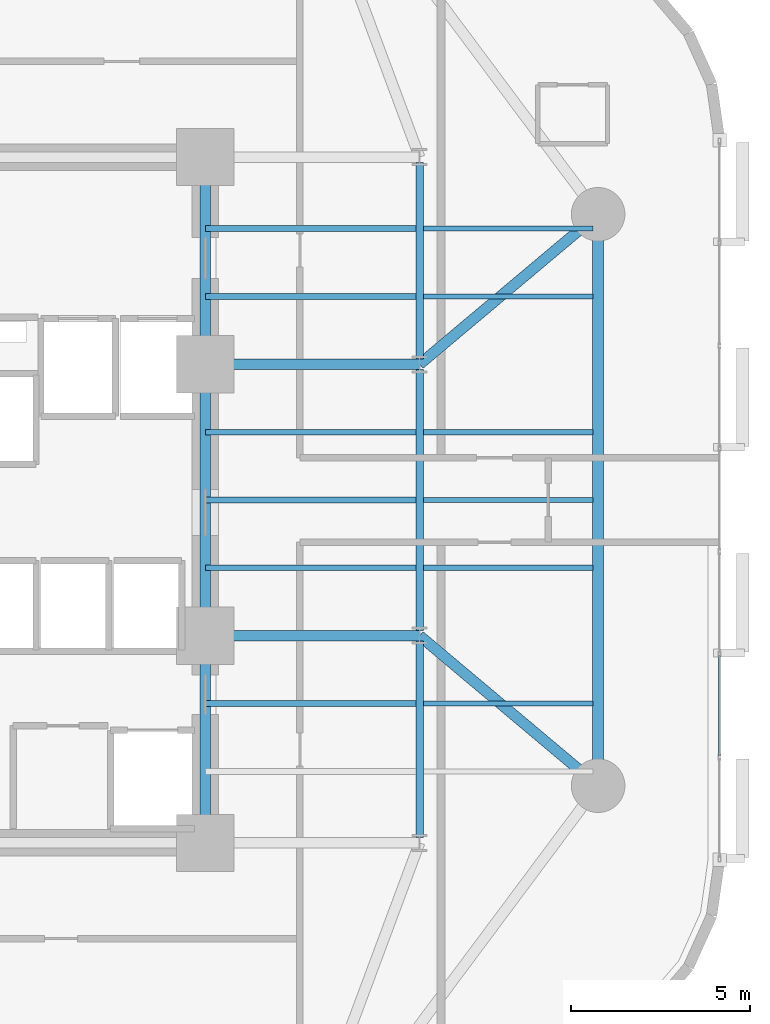
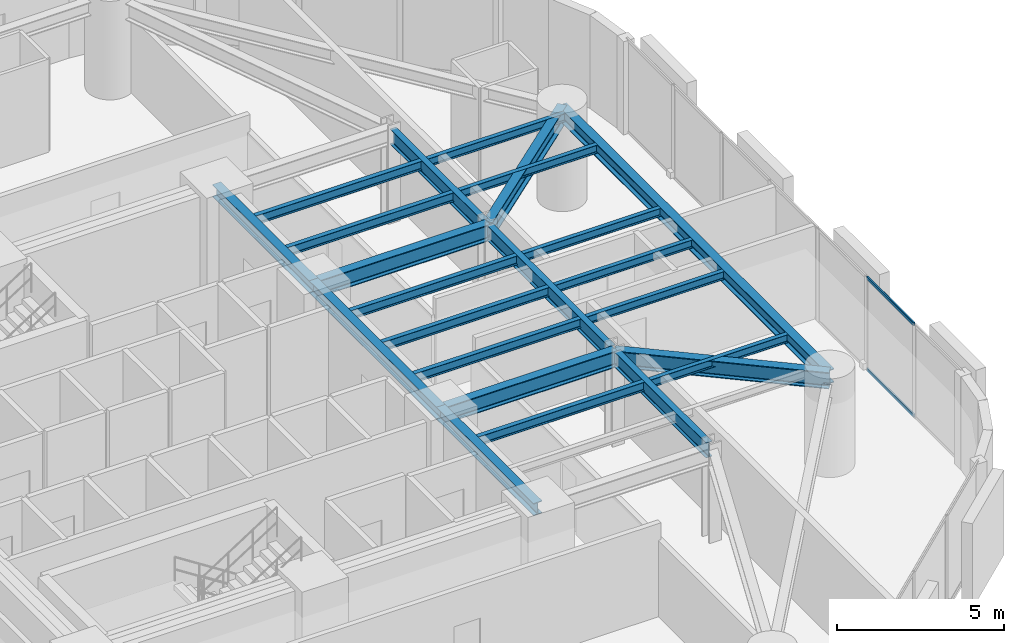
# One storey, part 5 of 16: 23 beams, 2 members, 1 element without a shape of its own.
"""IFC4 building model written with IfcOpenShell, lengths in metres."""

from ifc_helpers import new_model, si_unit, direction, frame, origin, origin_2d, place, context, subcontext, project, spatial, hollow_rectangle, i_section, extrude, material, layer, layer_set, material_profile, profile_set, type_object, element, aggregate, save


model = new_model("IFC4")

# Units and contexts
model_context = context("Model", 3, precision=1e-05, world=origin(), true_north=direction((0.0, 1.0)))
body_context = subcontext(model_context, "Body", "Model", "MODEL_VIEW")
ifc_project = project(units=[si_unit("LENGTHUNIT", "METRE"), si_unit("AREAUNIT", "SQUARE_METRE"), si_unit("VOLUMEUNIT", "CUBIC_METRE"), si_unit("PLANEANGLEUNIT", "RADIAN"), si_unit("MASSUNIT", "GRAM", prefix="KILO")], contexts=[model_context])

# Site, building, storey
site_placement = place(None, origin())
site = spatial("IfcSite", under=ifc_project, at=site_placement, CompositionType="ELEMENT")
building_placement = place(site_placement, origin())
building = spatial("IfcBuilding", under=site, at=building_placement, Name="An Khanh Terracotta Commons", CompositionType="ELEMENT")
storey_placement = place(building_placement, frame((0.0, 0.0, 28.800048828125)))
storey = spatial("IfcBuildingStorey", under=building, at=storey_placement, Name="L07", CompositionType="ELEMENT", Elevation=28.800048828125)

# Beams
ifc_material_1 = material(Name="Steel S355J2", Category="steel")
ifc_material_profile_1 = material_profile(ifc_material_1, i_section(OverallWidth=0.300048828125, OverallDepth=0.449951171875, WebThickness=0.013916015625, FlangeThickness=0.02587890625, FilletRadius=0.027099609375, at=origin_2d()), Name="HEB450")
ifc_profile_set_1 = profile_set([ifc_material_profile_1], Name="Steel S355J2")
beam_type_1 = type_object("IfcBeamType", Name="BM-HEB450", PredefinedType="BEAM", material=ifc_profile_set_1)
beam_1_placement = place(storey_placement, frame((37.199951171875, 14.39990234375, 3.175048828125), z_axis=(0.0, 1.0, 0.0), x_axis=(-1.0, 0.0, 0.0)))
element("IfcBeam", 1, at=beam_1_placement, inside=storey, type_object=beam_type_1, Name="L07 Core East Coupling Girder 1", PredefinedType="BEAM", context=body_context, shape_type="SweptSolid", body=[
    extrude(i_section(OverallWidth=0.300048828125, OverallDepth=0.449951171875, WebThickness=0.013916015625, FlangeThickness=0.02587890625, FilletRadius=0.027099609375, at=origin_2d()), origin(), (0.0, 0.0, 1.0), 5.800048828125),
])
beam_2_placement = place(storey_placement, frame((37.199951171875, 20.199951171875, 3.175048828125), z_axis=(0.0, 1.0, 0.0), x_axis=(-1.0, 0.0, 0.0)))
element("IfcBeam", 2, at=beam_2_placement, inside=storey, type_object=beam_type_1, Name="L07 Core East Coupling Girder 2", PredefinedType="BEAM", context=body_context, shape_type="SweptSolid", body=[
    extrude(i_section(OverallWidth=0.300048828125, OverallDepth=0.449951171875, WebThickness=0.013916015625, FlangeThickness=0.02587890625, FilletRadius=0.027099609375, at=origin_2d()), origin(), (0.0, 0.0, 1.0), 7.60009765625),
])
beam_3_placement = place(storey_placement, frame((37.199951171875, 27.800048828125, 3.175048828125), z_axis=(0.0, 1.0, 0.0), x_axis=(-1.0, 0.0, 0.0)))
element("IfcBeam", 3, at=beam_3_placement, inside=storey, type_object=beam_type_1, Name="L07 Core East Coupling Girder 3", PredefinedType="BEAM", context=body_context, shape_type="SweptSolid", body=[
    extrude(i_section(OverallWidth=0.300048828125, OverallDepth=0.449951171875, WebThickness=0.013916015625, FlangeThickness=0.02587890625, FilletRadius=0.027099609375, at=origin_2d()), origin(), (0.0, 0.0, 1.0), 5.800048828125),
])
ifc_material_profile_2 = material_profile(ifc_material_1, i_section(OverallWidth=0.300048828125, OverallDepth=0.5, WebThickness=0.014404296875, FlangeThickness=0.028076171875, FilletRadius=0.027099609375, at=origin_2d()), Name="HEB500")
ifc_profile_set_2 = profile_set([ifc_material_profile_2], Name="Steel S355J2")
beam_type_2 = type_object("IfcBeamType", Name="BM-HEB500", PredefinedType="BEAM", material=ifc_profile_set_2)
beam_4_placement = place(storey_placement, frame((48.199951171875, 16.0, 3.14990234375), z_axis=(0.0, 1.0, 0.0), x_axis=(-1.0, 0.0, 0.0)))
element("IfcBeam", 4, at=beam_4_placement, inside=storey, type_object=beam_type_2, Name="L07 Perimeter Ring Spandrel 3", PredefinedType="BEAM", context=body_context, shape_type="SweptSolid", body=[
    extrude(i_section(OverallWidth=0.300048828125, OverallDepth=0.5, WebThickness=0.014404296875, FlangeThickness=0.028076171875, FilletRadius=0.027099609375, at=origin_2d()), origin(), (0.0, 0.0, 1.0), 16.0),
])
ifc_material_profile_3 = material_profile(ifc_material_1, i_section(OverallWidth=0.300048828125, OverallDepth=0.60009765625, WebThickness=0.015380859375, FlangeThickness=0.030029296875, FilletRadius=0.027099609375, at=origin_2d()), Name="HEB600")
ifc_profile_set_3 = profile_set([ifc_material_profile_3], Name="Steel S355J2")
beam_type_3 = type_object("IfcBeamType", Name="BM-HEB600", PredefinedType="BEAM", material=ifc_profile_set_3)
for number, where, z_axis, x_axis, name in (
    (5, (37.199951171875, 20.199951171875, 3.099853515625), (1.0, 0.0, 0.0), (0.0, 1.0, 0.0), "L07 East Primary Floor Girder 2"),
    (6, (37.199951171875, 27.800048828125, 3.099853515625), (1.0, 0.0, 0.0), (0.0, 1.0, 0.0), "L07 East Primary Floor Girder 3"),
):
    element("IfcBeam", number, at=place(storey_placement, frame(where, z_axis=z_axis, x_axis=x_axis)), inside=storey, type_object=beam_type_3, Name=name, PredefinedType="BEAM", context=body_context, shape_type="SweptSolid", body=[
        extrude(i_section(OverallWidth=0.300048828125, OverallDepth=0.60009765625, WebThickness=0.015380859375, FlangeThickness=0.030029296875, FilletRadius=0.027099609375, at=origin_2d()), origin(), (0.0, 0.0, 1.0), 6.0),
    ])
for number, where, z_axis, x_axis, name in (
    (7, (48.199951171875, 16.0, 3.099853515625), (-0.765708547471, 0.643187702253, 0.0), (-0.643187702253, -0.765708547471, 0.0), "L07 Mega-Column Tie Girder 3"),
    (8, (48.199951171875, 32.0, 3.099853515625), (-0.765708547471, -0.643187702253, 0.0), (0.643187702253, -0.765708547471, 0.0), "L07 Mega-Column Tie Girder 4"),
):
    element("IfcBeam", number, at=place(storey_placement, frame(where, z_axis=z_axis, x_axis=x_axis)), inside=storey, type_object=beam_type_3, Name=name, PredefinedType="BEAM", context=body_context, shape_type="SweptSolid", body=[
        extrude(i_section(OverallWidth=0.300048828125, OverallDepth=0.60009765625, WebThickness=0.015380859375, FlangeThickness=0.030029296875, FilletRadius=0.027099609375, at=origin_2d()), origin(), (0.0, 0.0, 1.0), 6.52978515625),
    ])
ifc_material_profile_4 = material_profile(ifc_material_1, i_section(OverallWidth=0.14990234375, OverallDepth=0.300048828125, WebThickness=0.007080078125, FlangeThickness=0.0107421875, FilletRadius=0.014892578125, at=origin_2d()), Name="IPE300")
ifc_profile_set_4 = profile_set([ifc_material_profile_4], Name="Steel S355J2")
beam_type_4 = type_object("IfcBeamType", Name="BM-IPE300", PredefinedType="JOIST", material=ifc_profile_set_4)
for number, where, z_axis, x_axis, name in (
    (9, (43.304931640625, 18.300048828125, 3.25), (1.0, 0.0, 0.0), (0.0, 1.0, 0.0), "L07 Riverfront Composite Joist 2"),
    (10, (43.304931640625, 22.10009765625, 3.25), (1.0, 0.0, 0.0), (0.0, 1.0, 0.0), "L07 Riverfront Composite Joist 3"),
    (11, (43.304931640625, 24.0, 3.25), (1.0, 0.0, 0.0), (0.0, 1.0, 0.0), "L07 Riverfront Composite Joist 4"),
    (12, (43.304931640625, 25.89990234375, 3.25), (1.0, 0.0, 0.0), (0.0, 1.0, 0.0), "L07 Riverfront Composite Joist 5"),
    (13, (43.304931640625, 29.699951171875, 3.25), (1.0, 0.0, 0.0), (0.0, 1.0, 0.0), "L07 Riverfront Composite Joist 6"),
    (14, (43.304931640625, 31.60009765625, 3.25), (1.0, 0.0, 0.0), (0.0, 1.0, 0.0), "L07 Riverfront Composite Joist 7"),
):
    element("IfcBeam", number, at=place(storey_placement, frame(where, z_axis=z_axis, x_axis=x_axis)), inside=storey, type_object=beam_type_4, Name=name, PredefinedType="JOIST", context=body_context, shape_type="SweptSolid", body=[
        extrude(i_section(OverallWidth=0.14990234375, OverallDepth=0.300048828125, WebThickness=0.007080078125, FlangeThickness=0.0107421875, FilletRadius=0.014892578125, at=origin_2d()), origin(), (0.0, 0.0, 1.0), 4.7451171875),
    ])
ifc_material_profile_5 = material_profile(ifc_material_1, i_section(OverallWidth=0.159912109375, OverallDepth=0.330078125, WebThickness=0.007568359375, FlangeThickness=0.011474609375, FilletRadius=0.01806640625, at=origin_2d()), Name="IPE330")
ifc_profile_set_5 = profile_set([ifc_material_profile_5], Name="Steel S355J2")
beam_type_5 = type_object("IfcBeamType", Name="BM-IPE330", PredefinedType="JOIST", material=ifc_profile_set_5)
for number, where, z_axis, x_axis, name in (
    (15, (37.199951171875, 18.300048828125, 3.23486328125), (1.0, 0.0, 0.0), (0.0, 1.0, 0.0), "L07 Inboard Composite Joist 2"),
    (16, (37.199951171875, 22.10009765625, 3.23486328125), (1.0, 0.0, 0.0), (0.0, 1.0, 0.0), "L07 Inboard Composite Joist 3"),
    (17, (37.199951171875, 24.0, 3.23486328125), (1.0, 0.0, 0.0), (0.0, 1.0, 0.0), "L07 Inboard Composite Joist 4"),
    (18, (37.199951171875, 25.89990234375, 3.23486328125), (1.0, 0.0, 0.0), (0.0, 1.0, 0.0), "L07 Inboard Composite Joist 5"),
    (19, (37.199951171875, 29.699951171875, 3.23486328125), (1.0, 0.0, 0.0), (0.0, 1.0, 0.0), "L07 Inboard Composite Joist 6"),
    (20, (37.199951171875, 31.60009765625, 3.23486328125), (1.0, 0.0, 0.0), (0.0, 1.0, 0.0), "L07 Inboard Composite Joist 7"),
):
    element("IfcBeam", number, at=place(storey_placement, frame(where, z_axis=z_axis, x_axis=x_axis)), inside=storey, type_object=beam_type_5, Name=name, PredefinedType="JOIST", context=body_context, shape_type="SweptSolid", body=[
        extrude(i_section(OverallWidth=0.159912109375, OverallDepth=0.330078125, WebThickness=0.007568359375, FlangeThickness=0.011474609375, FilletRadius=0.01806640625, at=origin_2d()), origin(), (0.0, 0.0, 1.0), 5.89501953125),
    ])
ifc_material_profile_6 = material_profile(ifc_material_1, i_section(OverallWidth=0.2099609375, OverallDepth=0.550048828125, WebThickness=0.010986328125, FlangeThickness=0.01708984375, FilletRadius=0.02392578125, at=origin_2d()), Name="IPE550")
ifc_profile_set_6 = profile_set([ifc_material_profile_6], Name="Steel S355J2")
beam_type_6 = type_object("IfcBeamType", Name="BM-IPE550", PredefinedType="BEAM", material=ifc_profile_set_6)
beam_5_placement = place(storey_placement, frame((43.199951171875, 14.550048828125, 3.125), z_axis=(0.0, 1.0, 0.0), x_axis=(-1.0, 0.0, 0.0)))
element("IfcBeam", 21, at=beam_5_placement, inside=storey, type_object=beam_type_6, Name="L07 East Spine Girder 1", PredefinedType="BEAM", context=body_context, shape_type="SweptSolid", body=[
    extrude(i_section(OverallWidth=0.2099609375, OverallDepth=0.550048828125, WebThickness=0.010986328125, FlangeThickness=0.01708984375, FilletRadius=0.02392578125, at=origin_2d()), origin(), (0.0, 0.0, 1.0), 5.5),
])
beam_6_placement = place(storey_placement, frame((43.199951171875, 20.35009765625, 3.125), z_axis=(0.0, 1.0, 0.0), x_axis=(-1.0, 0.0, 0.0)))
element("IfcBeam", 22, at=beam_6_placement, inside=storey, type_object=beam_type_6, Name="L07 East Spine Girder 2", PredefinedType="BEAM", context=body_context, shape_type="SweptSolid", body=[
    extrude(i_section(OverallWidth=0.2099609375, OverallDepth=0.550048828125, WebThickness=0.010986328125, FlangeThickness=0.01708984375, FilletRadius=0.02392578125, at=origin_2d()), origin(), (0.0, 0.0, 1.0), 7.2998046875),
])
beam_7_placement = place(storey_placement, frame((43.199951171875, 27.949951171875, 3.125), z_axis=(0.0, 1.0, 0.0), x_axis=(-1.0, 0.0, 0.0)))
element("IfcBeam", 23, at=beam_7_placement, inside=storey, type_object=beam_type_6, Name="L07 East Spine Girder 3", PredefinedType="BEAM", context=body_context, shape_type="SweptSolid", body=[
    extrude(i_section(OverallWidth=0.2099609375, OverallDepth=0.550048828125, WebThickness=0.010986328125, FlangeThickness=0.01708984375, FilletRadius=0.02392578125, at=origin_2d()), origin(), (0.0, 0.0, 1.0), 5.5),
])

# Curtain wall, members
ifc_material_2 = material(Name="Anodised Aluminium 6063-T6", Category="aluminium")
ifc_layer = layer(ifc_material_2, 0.199951171875, Name="Anodised Aluminium 6063-T6")
ifc_layer_set = layer_set([ifc_layer], Name="Anodised Aluminium 6063-T6")
curtain_wall_type = type_object("IfcCurtainWallType", Name="CW-SYS-02", PredefinedType="USERDEFINED", material=ifc_layer_set)
curtain_wall_placement = place(storey_placement, origin())
curtain_wall = element("IfcCurtainWall", 24, at=curtain_wall_placement, inside=storey, type_object=curtain_wall_type, Name="L07 CW-02 Unitised Curtain Wall CW-L07-12", ObjectType="UNITISED CURTAIN WALL", PredefinedType="USERDEFINED")
ifc_material_profile_7 = material_profile(ifc_material_2, hollow_rectangle(XDim=0.06005859375, YDim=0.1201171875, WallThickness=0.003662109375, InnerFilletRadius=0.003662109375, OuterFilletRadius=0.007080078125, at=origin_2d()), Name="RHS120x60x3.6")
ifc_profile_set_7 = profile_set([ifc_material_profile_7], Name="Anodised Aluminium 6063-T6")
member_type = type_object("IfcMemberType", Name="CWT-RHS120x60x3.6", PredefinedType="USERDEFINED", material=ifc_profile_set_7)
member_1_placement = place(storey_placement, frame((51.60009765625, 16.837158203125, 0.030029296875), z_axis=(0.0, 1.0, 0.0), x_axis=(-1.0, 0.0, 0.0)))
member_1 = element("IfcMember", 25, at=member_1_placement, type_object=member_type, Name="CW-02 transom 2.1", ObjectType="TRANSOM", PredefinedType="USERDEFINED", context=body_context, shape_type="SweptSolid", body=[
    extrude(hollow_rectangle(XDim=0.06005859375, YDim=0.1201171875, WallThickness=0.003662109375, InnerFilletRadius=0.003662109375, OuterFilletRadius=0.007080078125, at=origin_2d()), origin(), (0.0, 0.0, 1.0), 2.80908203125),
])
member_2_placement = place(storey_placement, frame((51.60009765625, 16.837158203125, 3.369873046875), z_axis=(0.0, 1.0, 0.0), x_axis=(-1.0, 0.0, 0.0)))
member_2 = element("IfcMember", 26, at=member_2_placement, type_object=member_type, Name="CW-02 transom 2.2", ObjectType="TRANSOM", PredefinedType="USERDEFINED", context=body_context, shape_type="SweptSolid", body=[
    extrude(hollow_rectangle(XDim=0.06005859375, YDim=0.1201171875, WallThickness=0.003662109375, InnerFilletRadius=0.003662109375, OuterFilletRadius=0.007080078125, at=origin_2d()), origin(), (0.0, 0.0, 1.0), 2.80908203125),
])
aggregate(curtain_wall, [member_1, member_2])

save(model, "model.ifc")
